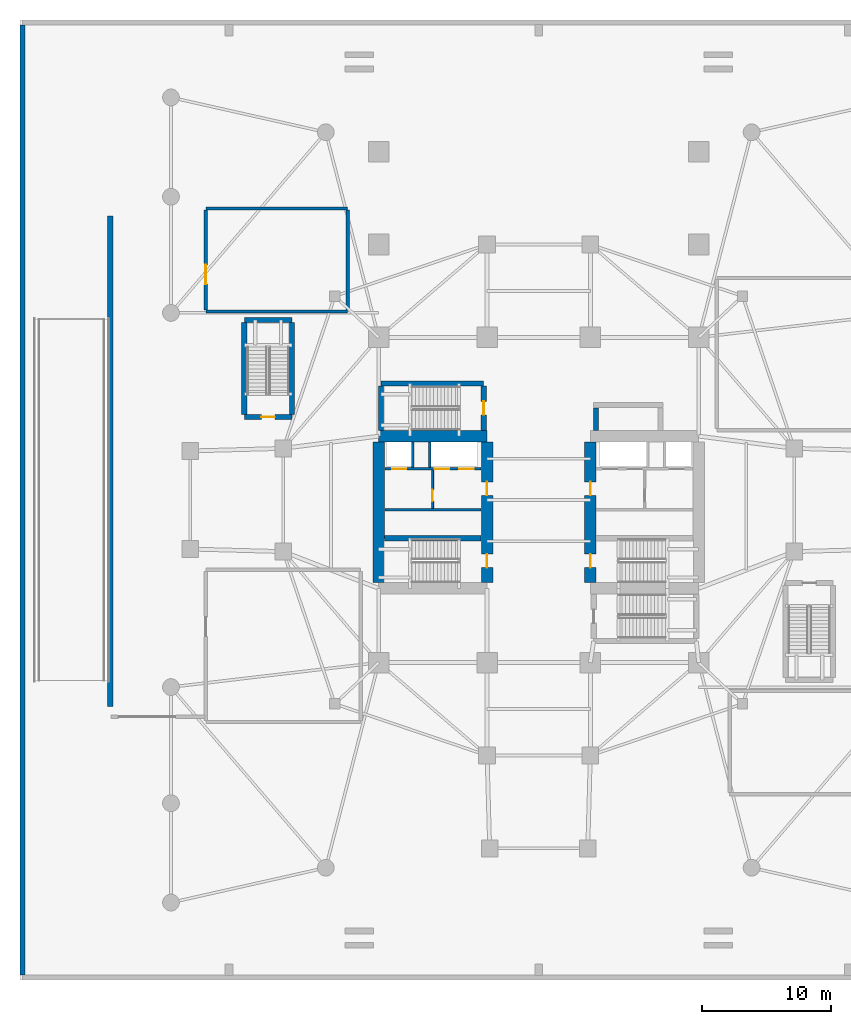
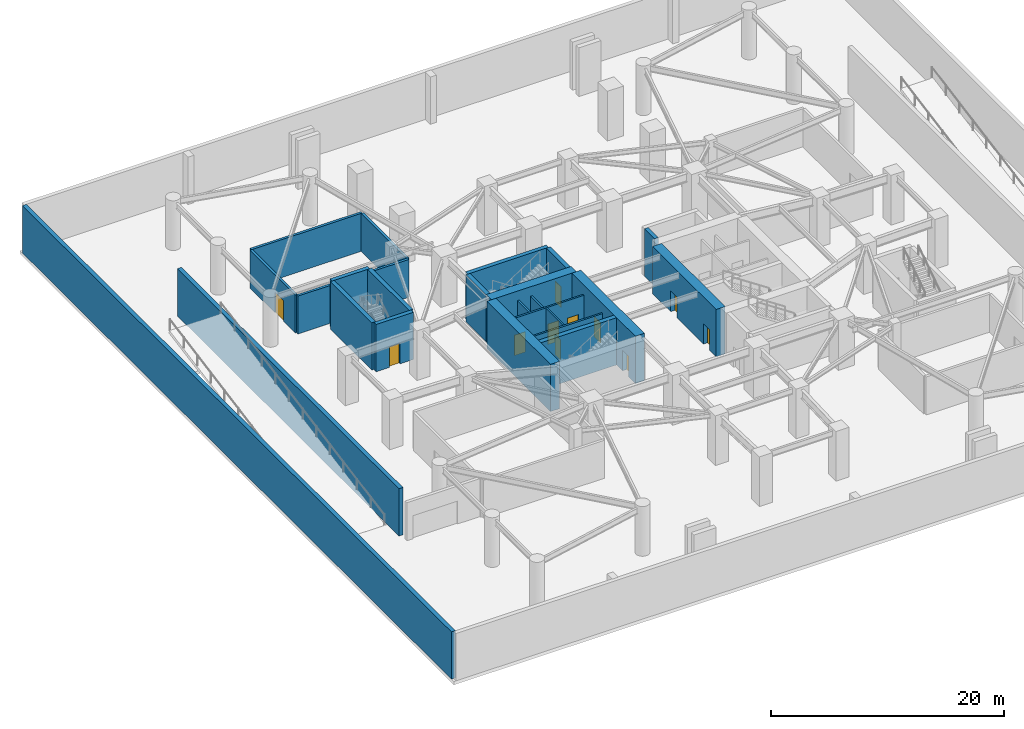
# One storey, part 5 of 12: 24 walls, 11 doors, 11 openings.
"""IFC4 building model written with IfcOpenShell, lengths in metres."""

from ifc_helpers import new_model, si_unit, direction, frame, frame_2d, origin, place, context, subcontext, project, spatial, rectangle, extrude, material, layer, layer_set, type_object, element, fill, save


model = new_model("IFC4")

# Units and contexts
model_context = context("Model", 3, precision=1e-05, world=origin(), true_north=direction((0.0, 1.0)))
body_context = subcontext(model_context, "Body", "Model", "MODEL_VIEW")
ifc_project = project(units=[si_unit("LENGTHUNIT", "METRE"), si_unit("AREAUNIT", "SQUARE_METRE"), si_unit("VOLUMEUNIT", "CUBIC_METRE"), si_unit("PLANEANGLEUNIT", "RADIAN"), si_unit("MASSUNIT", "GRAM", prefix="KILO")], contexts=[model_context])

# Site, building, storey
site_placement = place(None, origin())
site = spatial("IfcSite", under=ifc_project, at=site_placement, CompositionType="ELEMENT")
building_placement = place(site_placement, origin())
building = spatial("IfcBuilding", under=site, at=building_placement, Name="Qingluan Cross Belvedere", CompositionType="ELEMENT")
storey_placement = place(building_placement, frame((0.0, 0.0, -5.199951171875)))
storey = spatial("IfcBuildingStorey", under=building, at=storey_placement, Name="B1", CompositionType="ELEMENT", Elevation=-5.199951171875)

# Walls
ifc_material_1 = material(Name="Concrete C50", Category="concrete")
ifc_layer_1 = layer(ifc_material_1, 0.449951171875, Name="CoreShearWall_450")
ifc_layer_set_1 = layer_set([ifc_layer_1], Name="Concrete C50")
wall_type_1 = type_object("IfcWallType", Name="CoreShearWall_450", PredefinedType="SHEAR", material=ifc_layer_set_1)
wall_1_placement = place(storey_placement, frame((-33.199951171875, -16.0, 0.0), z_axis=(0.0, 0.0, 1.0), x_axis=(0.0, 1.0, 0.0)))
element("IfcWall", 1, at=wall_1_placement, inside=storey, type_object=wall_type_1, Name="Vehicle ramp structural support wall W B1", PredefinedType="SHEAR", context=body_context, shape_type="SweptSolid", body=[
    extrude(rectangle(XDim=38.0, YDim=0.39990234375, at=frame_2d((19.0, 0.0))), origin(), (0.0, 0.0, 1.0), 4.949951171875),
])
wall_2_placement = place(storey_placement, frame((-11.945068359375, -2.9599609375, 0.0), z_axis=(0.0, 0.0, 1.0), x_axis=(1.0, 0.0, 0.0)))
element("IfcWall", 2, at=wall_2_placement, inside=storey, type_object=wall_type_1, Name="Split core W shear wall B1-M", PredefinedType="SHEAR", context=body_context, shape_type="SweptSolid", body=[
    extrude(rectangle(XDim=7.489990234375, YDim=0.449951171875, at=frame_2d((3.7451171875, 0.0))), origin(), (0.0, 0.0, 1.0), 4.949951171875),
])
wall_3_placement = place(storey_placement, frame((-12.219970703125, 9.0400390625, 0.0), z_axis=(0.0, 0.0, 1.0), x_axis=(1.0, 0.0, 0.0)))
element("IfcWall", 3, at=wall_3_placement, inside=storey, type_object=wall_type_1, Name="Stair ST3 structural wall N B1", PredefinedType="SHEAR", context=body_context, shape_type="SweptSolid", body=[
    extrude(rectangle(XDim=7.9599609375, YDim=0.39990234375, at=frame_2d((3.97998046875, 0.0))), origin(), (0.0, 0.0, 1.0), 4.949951171875),
])
wall_4_placement = place(storey_placement, frame((-12.219970703125, 5.405029296875, 0.0), z_axis=(0.0, 0.0, 1.0), x_axis=(0.0, 1.0, 0.0)))
element("IfcWall", 4, at=wall_4_placement, inside=storey, type_object=wall_type_1, Name="Stair ST3 structural wall W B1", PredefinedType="SHEAR", context=body_context, shape_type="SweptSolid", body=[
    extrude(rectangle(XDim=3.429931640625, YDim=0.39990234375, at=frame_2d((1.71484375, 0.0))), origin(), (0.0, 0.0, 1.0), 4.949951171875),
])

# Wall, opening, door
wall_5_placement = place(storey_placement, frame((-4.260009765625, 5.405029296875, 0.0), z_axis=(0.0, 0.0, 1.0), x_axis=(0.0, 1.0, 0.0)))
wall_5 = element("IfcWall", 5, at=wall_5_placement, inside=storey, type_object=wall_type_1, Name="Stair ST3 structural wall E B1", PredefinedType="SHEAR", context=body_context, shape_type="SweptSolid", body=[
    extrude(rectangle(XDim=3.429931640625, YDim=0.39990234375, at=frame_2d((1.71484375, 0.0))), origin(), (0.0, 0.0, 1.0), 4.949951171875),
])
opening_1_placement = place(wall_5_placement, frame((1.195068359375, 0.0, 0.0)))
opening_1 = element("IfcOpeningElement", 6, at=opening_1_placement, cuts=wall_5, Name="Opening FD-B11", PredefinedType="OPENING", context=body_context, shape_type="SweptSolid", body=[
    extrude(rectangle(XDim=1.050048828125, YDim=2.14990234375, at=frame_2d((0.52490234375, 1.074951171875))), frame((0.0, 0.2099609375, 0.0), z_axis=(0.0, -1.0, 0.0), x_axis=(1.0, 0.0, 0.0)), (0.0, 0.0, 1.0), 0.419921875),
])
ifc_material_2 = material(Name="Steel Class B smoke-seal fire door", Category="steel")
door_type_1 = type_object("IfcDoorType", Name="StairLobbyFireDoor_FDB", OperationType="NOTDEFINED", PredefinedType="DOOR", material=ifc_material_2)
door_1_placement = place(opening_1_placement, origin())
door_1 = element("IfcDoor", 7, at=door_1_placement, inside=storey, type_object=door_type_1, Name="Smoke-proof stair ST3 fire door B1", OperationType="SINGLE_SWING_RIGHT", OverallHeight=2.14990234375, OverallWidth=1.050048828125, PredefinedType="DOOR", context=body_context, shape_type="SweptSolid", body=[
    extrude(rectangle(XDim=1.050048828125, YDim=2.14990234375, at=frame_2d((0.52490234375, 1.074951171875))), frame((0.0, 0.02490234375, 0.0), z_axis=(0.0, -1.0, 0.0), x_axis=(1.0, 0.0, 0.0)), (0.0, 0.0, 1.0), 0.050048828125),
])
fill(opening_1, door_1)

# Wall
wall_6_placement = place(storey_placement, frame((-22.820068359375, 13.949951171875, 0.0), z_axis=(0.0, 0.0, 1.0), x_axis=(1.0, 0.0, 0.0)))
element("IfcWall", 8, at=wall_6_placement, inside=storey, type_object=wall_type_1, Name="Stair ST5 structural wall N B1", PredefinedType="SHEAR", context=body_context, shape_type="SweptSolid", body=[
    extrude(rectangle(XDim=3.699951171875, YDim=0.39990234375, at=frame_2d((1.85009765625, 0.0))), origin(), (0.0, 0.0, 1.0), 4.949951171875),
])

# Wall, opening, door
wall_7_placement = place(storey_placement, frame((-22.820068359375, 6.429931640625, 0.0), z_axis=(0.0, 0.0, 1.0), x_axis=(1.0, 0.0, 0.0)))
wall_7 = element("IfcWall", 9, at=wall_7_placement, inside=storey, type_object=wall_type_1, Name="Stair ST5 structural wall S B1", PredefinedType="SHEAR", context=body_context, shape_type="SweptSolid", body=[
    extrude(rectangle(XDim=3.699951171875, YDim=0.39990234375, at=frame_2d((1.85009765625, 0.0))), origin(), (0.0, 0.0, 1.0), 4.949951171875),
])
opening_2_placement = place(wall_7_placement, frame((1.320068359375, 0.0, 0.0)))
opening_2 = element("IfcOpeningElement", 10, at=opening_2_placement, cuts=wall_7, Name="Opening FD-B11", PredefinedType="OPENING", context=body_context, shape_type="SweptSolid", body=[
    extrude(rectangle(XDim=1.050048828125, YDim=2.14990234375, at=frame_2d((0.52490234375, 1.074951171875))), frame((0.0, 0.2099609375, 0.0), z_axis=(0.0, -1.0, 0.0), x_axis=(1.0, 0.0, 0.0)), (0.0, 0.0, 1.0), 0.419921875),
])
door_2_placement = place(opening_2_placement, origin())
door_2 = element("IfcDoor", 11, at=door_2_placement, inside=storey, type_object=door_type_1, Name="Podium stair ST5 smoke-proof fire door B1", OperationType="SINGLE_SWING_RIGHT", OverallHeight=2.14990234375, OverallWidth=1.050048828125, PredefinedType="DOOR", context=body_context, shape_type="SweptSolid", body=[
    extrude(rectangle(XDim=1.050048828125, YDim=2.14990234375, at=frame_2d((0.52490234375, 1.074951171875))), frame((0.0, 0.02490234375, 0.0), z_axis=(0.0, -1.0, 0.0), x_axis=(1.0, 0.0, 0.0)), (0.0, 0.0, 1.0), 0.050048828125),
])
fill(opening_2, door_2)

# Walls
for number, where, z_axis, x_axis, name in (
    (12, (-22.820068359375, 6.635009765625, 0.0), (0.0, 0.0, 1.0), (0.0, 1.0, 0.0), "Stair ST5 structural wall W B1"),
    (13, (-19.1201171875, 6.635009765625, 0.0), (0.0, 0.0, 1.0), (0.0, 1.0, 0.0), "Stair ST5 structural wall E B1"),
):
    element("IfcWall", number, at=place(storey_placement, frame(where, z_axis=z_axis, x_axis=x_axis)), inside=storey, type_object=wall_type_1, Name=name, PredefinedType="SHEAR", context=body_context, shape_type="SweptSolid", body=[
        extrude(rectangle(XDim=7.110107421875, YDim=0.39990234375, at=frame_2d((3.55517578125, 0.0))), origin(), (0.0, 0.0, 1.0), 4.949951171875),
    ])
wall_8_placement = place(storey_placement, frame((4.449951171875, 5.405029296875, 0.0), z_axis=(0.0, 0.0, 1.0), x_axis=(0.0, 1.0, 0.0)))
element("IfcWall", 14, at=wall_8_placement, inside=storey, type_object=wall_type_1, Name="Express shuttle core wall B1-W", PredefinedType="SHEAR", context=body_context, shape_type="SweptSolid", body=[
    extrude(rectangle(XDim=1.73486328125, YDim=0.39990234375, at=frame_2d((0.867431640625, 0.0))), origin(), (0.0, 0.0, 1.0), 4.949951171875),
])
ifc_material_3 = material(Name="Concrete C70", Category="concrete")
ifc_layer_2 = layer(ifc_material_3, 0.89990234375, Name="CoreShearWall_900")
ifc_layer_set_2 = layer_set([ifc_layer_2], Name="Concrete C70")
wall_type_2 = type_object("IfcWallType", Name="CoreShearWall_900", PredefinedType="SHEAR", material=ifc_layer_set_2)
wall_9_placement = place(storey_placement, frame((-12.39990234375, 4.949951171875, 0.0), z_axis=(0.0, 0.0, 1.0), x_axis=(1.0, 0.0, 0.0)))
element("IfcWall", 15, at=wall_9_placement, inside=storey, type_object=wall_type_2, Name="Split core W shear wall B1-N", PredefinedType="SHEAR", context=body_context, shape_type="SweptSolid", body=[
    extrude(rectangle(XDim=8.39990234375, YDim=0.89990234375, at=frame_2d((4.199951171875, 0.0))), origin(), (0.0, 0.0, 1.0), 4.949951171875),
])
wall_10_placement = place(storey_placement, frame((-12.39990234375, -6.39501953125, 0.0), z_axis=(0.0, 0.0, 1.0), x_axis=(0.0, 1.0, 0.0)))
element("IfcWall", 16, at=wall_10_placement, inside=storey, type_object=wall_type_2, Name="Split core W shear wall B1-W", PredefinedType="SHEAR", context=body_context, shape_type="SweptSolid", body=[
    extrude(rectangle(XDim=10.89013671875, YDim=0.89990234375, at=frame_2d((5.445068359375, 0.0))), origin(), (0.0, 0.0, 1.0), 4.949951171875),
])

# Wall, openings, doors
wall_11_placement = place(storey_placement, frame((-4.0, -6.39501953125, 0.0), z_axis=(0.0, 0.0, 1.0), x_axis=(0.0, 1.0, 0.0)))
wall_11 = element("IfcWall", 17, at=wall_11_placement, inside=storey, type_object=wall_type_2, Name="Split core W shear wall B1-E", PredefinedType="SHEAR", context=body_context, shape_type="SweptSolid", body=[
    extrude(rectangle(XDim=10.89013671875, YDim=0.89990234375, at=frame_2d((5.445068359375, 0.0))), origin(), (0.0, 0.0, 1.0), 4.949951171875),
])
opening_3_placement = place(wall_11_placement, frame((1.14501953125, 0.0, 0.0)))
opening_3 = element("IfcOpeningElement", 18, at=opening_3_placement, cuts=wall_11, Name="Opening FD-B11", PredefinedType="OPENING", context=body_context, shape_type="SweptSolid", body=[
    extrude(rectangle(XDim=1.050048828125, YDim=2.14990234375, at=frame_2d((0.52490234375, 1.074951171875))), frame((0.0, 0.4599609375, 0.0), z_axis=(0.0, -1.0, 0.0), x_axis=(1.0, 0.0, 0.0)), (0.0, 0.0, 1.0), 0.919921875),
])
opening_4_placement = place(wall_11_placement, frame((6.7451171875, 0.0, 0.0)))
opening_4 = element("IfcOpeningElement", 19, at=opening_4_placement, cuts=wall_11, Name="Opening FD-B11", PredefinedType="OPENING", context=body_context, shape_type="SweptSolid", body=[
    extrude(rectangle(XDim=1.050048828125, YDim=2.14990234375, at=frame_2d((0.52490234375, 1.074951171875))), frame((0.0, 0.4599609375, 0.0), z_axis=(0.0, -1.0, 0.0), x_axis=(1.0, 0.0, 0.0)), (0.0, 0.0, 1.0), 0.919921875),
])
door_3_placement = place(opening_3_placement, origin())
door_3 = element("IfcDoor", 20, at=door_3_placement, inside=storey, type_object=door_type_1, Name="Smoke-proof stair ST1 fire door B1", OperationType="SINGLE_SWING_RIGHT", OverallHeight=2.14990234375, OverallWidth=1.050048828125, PredefinedType="DOOR", context=body_context, shape_type="SweptSolid", body=[
    extrude(rectangle(XDim=1.050048828125, YDim=2.14990234375, at=frame_2d((0.52490234375, 1.074951171875))), frame((0.0, 0.02490234375, 0.0), z_axis=(0.0, -1.0, 0.0), x_axis=(1.0, 0.0, 0.0)), (0.0, 0.0, 1.0), 0.050048828125),
])
fill(opening_3, door_3)
door_4_placement = place(opening_4_placement, origin())
door_4 = element("IfcDoor", 21, at=door_4_placement, inside=storey, type_object=door_type_1, Name="Firefighting lobby West fire door B1", OperationType="SINGLE_SWING_RIGHT", OverallHeight=2.14990234375, OverallWidth=1.050048828125, PredefinedType="DOOR", context=body_context, shape_type="SweptSolid", body=[
    extrude(rectangle(XDim=1.050048828125, YDim=2.14990234375, at=frame_2d((0.52490234375, 1.074951171875))), frame((0.0, 0.02490234375, 0.0), z_axis=(0.0, -1.0, 0.0), x_axis=(1.0, 0.0, 0.0)), (0.0, 0.0, 1.0), 0.050048828125),
])
fill(opening_4, door_4)

wall_12_placement = place(storey_placement, frame((4.0, -6.39501953125, 0.0), z_axis=(0.0, 0.0, 1.0), x_axis=(0.0, 1.0, 0.0)))
wall_12 = element("IfcWall", 22, at=wall_12_placement, inside=storey, type_object=wall_type_2, Name="Split core E shear wall B1-W", PredefinedType="SHEAR", context=body_context, shape_type="SweptSolid", body=[
    extrude(rectangle(XDim=10.89013671875, YDim=0.89990234375, at=frame_2d((5.445068359375, 0.0))), origin(), (0.0, 0.0, 1.0), 4.949951171875),
])
opening_5_placement = place(wall_12_placement, frame((1.14501953125, 0.0, 0.0)))
opening_5 = element("IfcOpeningElement", 23, at=opening_5_placement, cuts=wall_12, Name="Opening FD-B11", PredefinedType="OPENING", context=body_context, shape_type="SweptSolid", body=[
    extrude(rectangle(XDim=1.050048828125, YDim=2.14990234375, at=frame_2d((0.52490234375, 1.074951171875))), frame((0.0, 0.4599609375, 0.0), z_axis=(0.0, -1.0, 0.0), x_axis=(1.0, 0.0, 0.0)), (0.0, 0.0, 1.0), 0.919921875),
])
opening_6_placement = place(wall_12_placement, frame((6.7451171875, 0.0, 0.0)))
opening_6 = element("IfcOpeningElement", 24, at=opening_6_placement, cuts=wall_12, Name="Opening FD-B11", PredefinedType="OPENING", context=body_context, shape_type="SweptSolid", body=[
    extrude(rectangle(XDim=1.050048828125, YDim=2.14990234375, at=frame_2d((0.52490234375, 1.074951171875))), frame((0.0, 0.4599609375, 0.0), z_axis=(0.0, -1.0, 0.0), x_axis=(1.0, 0.0, 0.0)), (0.0, 0.0, 1.0), 0.919921875),
])
door_5_placement = place(opening_5_placement, origin())
door_5 = element("IfcDoor", 25, at=door_5_placement, inside=storey, type_object=door_type_1, Name="Smoke-proof stair ST2 fire door B1", OperationType="SINGLE_SWING_LEFT", OverallHeight=2.14990234375, OverallWidth=1.050048828125, PredefinedType="DOOR", context=body_context, shape_type="SweptSolid", body=[
    extrude(rectangle(XDim=1.050048828125, YDim=2.14990234375, at=frame_2d((0.52490234375, 1.074951171875))), frame((0.0, 0.02490234375, 0.0), z_axis=(0.0, -1.0, 0.0), x_axis=(1.0, 0.0, 0.0)), (0.0, 0.0, 1.0), 0.050048828125),
])
fill(opening_5, door_5)
door_6_placement = place(opening_6_placement, origin())
door_6 = element("IfcDoor", 26, at=door_6_placement, inside=storey, type_object=door_type_1, Name="Firefighting lobby East fire door B1", OperationType="SINGLE_SWING_LEFT", OverallHeight=2.14990234375, OverallWidth=1.050048828125, PredefinedType="DOOR", context=body_context, shape_type="SweptSolid", body=[
    extrude(rectangle(XDim=1.050048828125, YDim=2.14990234375, at=frame_2d((0.52490234375, 1.074951171875))), frame((0.0, 0.02490234375, 0.0), z_axis=(0.0, -1.0, 0.0), x_axis=(1.0, 0.0, 0.0)), (0.0, 0.0, 1.0), 0.050048828125),
])
fill(opening_6, door_6)

# Walls
ifc_material_4 = material(Name="Concrete C40", Category="concrete")
ifc_layer_3 = layer(ifc_material_4, 0.300048828125, Name="FireCompartmentWall_300")
ifc_layer_set_3 = layer_set([ifc_layer_3], Name="Concrete C40")
wall_type_3 = type_object("IfcWallType", Name="FireCompartmentWall_300", PredefinedType="SOLIDWALL", material=ifc_layer_set_3)
for number, where, z_axis, x_axis, name in (
    (27, (-25.800048828125, 14.60009765625, 0.0), (0.0, 0.0, 1.0), (1.0, 0.0, 0.0), "Partition B1:linen_boh:S"),
    (28, (-25.800048828125, 22.60009765625, 0.0), (0.0, 0.0, 1.0), (1.0, 0.0, 0.0), "Partition B1:linen_boh:N"),
):
    element("IfcWall", number, at=place(storey_placement, frame(where, z_axis=z_axis, x_axis=x_axis)), inside=storey, type_object=wall_type_3, Name=name, PredefinedType="SOLIDWALL", context=body_context, shape_type="SweptSolid", body=[
        extrude(rectangle(XDim=11.0, YDim=0.25, at=frame_2d((5.5, 0.0))), origin(), (0.0, 0.0, 1.0), 3.969970703125),
    ])

# Wall, opening, door
wall_13_placement = place(storey_placement, frame((-25.800048828125, 14.72998046875, 0.0), z_axis=(0.0, 0.0, 1.0), x_axis=(0.0, 1.0, 0.0)))
wall_13 = element("IfcWall", 29, at=wall_13_placement, inside=storey, type_object=wall_type_3, Name="Partition B1:linen_boh:W", PredefinedType="SOLIDWALL", context=body_context, shape_type="SweptSolid", body=[
    extrude(rectangle(XDim=7.739990234375, YDim=0.25, at=frame_2d((3.8701171875, 0.0))), origin(), (0.0, 0.0, 1.0), 3.969970703125),
])
opening_7_placement = place(wall_13_placement, frame((2.0, 0.0, 0.0)))
opening_7 = element("IfcOpeningElement", 30, at=opening_7_placement, cuts=wall_13, Name="Opening FD-A15", PredefinedType="OPENING", context=body_context, shape_type="SweptSolid", body=[
    extrude(rectangle(XDim=1.5, YDim=2.14990234375, at=frame_2d((0.75, 1.074951171875))), frame((0.0, 0.135009765625, 0.0), z_axis=(0.0, -1.0, 0.0), x_axis=(1.0, 0.0, 0.0)), (0.0, 0.0, 1.0), 0.27001953125),
])
ifc_material_5 = material(Name="Insulated steel Class A double fire door", Category="steel")
door_type_2 = type_object("IfcDoorType", Name="PlantDoubleFireDoor_FDA", OperationType="DOUBLE_DOOR_SINGLE_SWING", PredefinedType="DOOR", material=ifc_material_5)
door_7_placement = place(opening_7_placement, origin())
door_7 = element("IfcDoor", 31, at=door_7_placement, inside=storey, type_object=door_type_2, Name="Back-of-house linen and luggage store B1 door", OperationType="DOUBLE_DOOR_SINGLE_SWING", OverallHeight=2.14990234375, OverallWidth=1.5, PredefinedType="DOOR", context=body_context, shape_type="SweptSolid", body=[
    extrude(rectangle(XDim=1.5, YDim=2.14990234375, at=frame_2d((0.75, 1.074951171875))), frame((0.0, 0.02490234375, 0.0), z_axis=(0.0, -1.0, 0.0), x_axis=(1.0, 0.0, 0.0)), (0.0, 0.0, 1.0), 0.050048828125),
])
fill(opening_7, door_7)

# Walls
wall_14_placement = place(storey_placement, frame((-14.800048828125, 14.72998046875, 0.0), z_axis=(0.0, 0.0, 1.0), x_axis=(0.0, 1.0, 0.0)))
element("IfcWall", 32, at=wall_14_placement, inside=storey, type_object=wall_type_3, Name="Partition B1:linen_boh:E", PredefinedType="SOLIDWALL", context=body_context, shape_type="SweptSolid", body=[
    extrude(rectangle(XDim=7.739990234375, YDim=0.25, at=frame_2d((3.8701171875, 0.0))), origin(), (0.0, 0.0, 1.0), 3.969970703125),
])
ifc_material_6 = material(Name="Concrete C40", Category="concrete")
ifc_layer_4 = layer(ifc_material_6, 0.39990234375, Name="RetainingWall_400")
ifc_layer_set_4 = layer_set([ifc_layer_4], Name="Concrete C40")
wall_type_4 = type_object("IfcWallType", Name="RetainingWall_400", PredefinedType="USERDEFINED", material=ifc_layer_set_4)
wall_15_placement = place(storey_placement, frame((-40.0, 36.794921875, 0.0), z_axis=(0.0, 0.0, 1.0), x_axis=(0.0, -1.0, 0.0)))
element("IfcWall", 33, at=wall_15_placement, inside=storey, type_object=wall_type_4, Name="Basement perimeter retaining wall B1-W", ObjectType="RETAININGWALL", PredefinedType="USERDEFINED", context=body_context, shape_type="SweptSolid", body=[
    extrude(rectangle(XDim=73.58984375, YDim=0.39990234375, at=frame_2d((36.794921875, 0.0))), origin(), (0.0, 0.0, 1.0), 4.949951171875),
])

# Wall, openings, doors
ifc_material_7 = material(Name="Concrete C40", Category="concrete")
ifc_layer_5 = layer(ifc_material_7, 0.219970703125, Name="ShaftEnclosureWall_250")
ifc_layer_set_5 = layer_set([ifc_layer_5], Name="Concrete C40")
wall_type_5 = type_object("IfcWallType", Name="ShaftEnclosureWall_250", PredefinedType="SOLIDWALL", material=ifc_layer_set_5)
wall_16_placement = place(storey_placement, frame((-11.89990234375, 2.409912109375, 0.0), z_axis=(0.0, 0.0, 1.0), x_axis=(1.0, 0.0, 0.0)))
wall_16 = element("IfcWall", 34, at=wall_16_placement, inside=storey, type_object=wall_type_5, Name="Core-W north hoistway wall B1", PredefinedType="SOLIDWALL", context=body_context, shape_type="SweptSolid", body=[
    extrude(rectangle(XDim=7.419921875, YDim=0.179931640625, at=frame_2d((3.7099609375, 0.0))), origin(), (0.0, 0.0, 1.0), 3.969970703125),
])
opening_8_placement = place(wall_16_placement, frame((0.550048828125, 0.0, 0.0)))
opening_8 = element("IfcOpeningElement", 35, at=opening_8_placement, cuts=wall_16, Name="Opening LD-11", PredefinedType="OPENING", context=body_context, shape_type="SweptSolid", body=[
    extrude(rectangle(XDim=1.10009765625, YDim=2.14990234375, at=frame_2d((0.550048828125, 1.074951171875))), frame((0.0, 0.099853515625, 0.0), z_axis=(0.0, -1.0, 0.0), x_axis=(1.0, 0.0, 0.0)), (0.0, 0.0, 1.0), 0.199951171875),
])
opening_9_placement = place(wall_16_placement, frame((3.85009765625, 0.0, 0.0)))
opening_9 = element("IfcOpeningElement", 36, at=opening_9_placement, cuts=wall_16, Name="Opening LD-11", PredefinedType="OPENING", context=body_context, shape_type="SweptSolid", body=[
    extrude(rectangle(XDim=1.10009765625, YDim=2.14990234375, at=frame_2d((0.550048828125, 1.074951171875))), frame((0.0, 0.099853515625, 0.0), z_axis=(0.0, -1.0, 0.0), x_axis=(1.0, 0.0, 0.0)), (0.0, 0.0, 1.0), 0.199951171875),
])
opening_10_placement = place(wall_16_placement, frame((5.75, 0.0, 0.0)))
opening_10 = element("IfcOpeningElement", 37, at=opening_10_placement, cuts=wall_16, Name="Opening LD-11", PredefinedType="OPENING", context=body_context, shape_type="SweptSolid", body=[
    extrude(rectangle(XDim=1.10009765625, YDim=2.14990234375, at=frame_2d((0.550048828125, 1.074951171875))), frame((0.0, 0.099853515625, 0.0), z_axis=(0.0, -1.0, 0.0), x_axis=(1.0, 0.0, 0.0)), (0.0, 0.0, 1.0), 0.199951171875),
])
ifc_material_8 = material(Name="Brushed stainless steel centre-opening lift landing door", Category="steel")
door_type_3 = type_object("IfcDoorType", Name="LiftLandingSlidingDoor_1100", OperationType="DOUBLE_DOOR_SLIDING", PredefinedType="DOOR", material=ifc_material_8)
door_8_placement = place(opening_8_placement, origin())
door_8 = element("IfcDoor", 38, at=door_8_placement, inside=storey, type_object=door_type_3, Name="Lift landing sliding door FL1 B1", OperationType="DOUBLE_DOOR_SLIDING", OverallHeight=2.14990234375, OverallWidth=1.10009765625, PredefinedType="DOOR", context=body_context, shape_type="SweptSolid", body=[
    extrude(rectangle(XDim=1.10009765625, YDim=2.14990234375, at=frame_2d((0.550048828125, 1.074951171875))), frame((0.0, 0.02490234375, 0.0), z_axis=(0.0, -1.0, 0.0), x_axis=(1.0, 0.0, 0.0)), (0.0, 0.0, 1.0), 0.050048828125),
])
fill(opening_8, door_8)
door_9_placement = place(opening_9_placement, origin())
door_9 = element("IfcDoor", 39, at=door_9_placement, inside=storey, type_object=door_type_3, Name="Lift landing sliding door LP1 B1", OperationType="DOUBLE_DOOR_SLIDING", OverallHeight=2.14990234375, OverallWidth=1.10009765625, PredefinedType="DOOR", context=body_context, shape_type="SweptSolid", body=[
    extrude(rectangle(XDim=1.10009765625, YDim=2.14990234375, at=frame_2d((0.550048828125, 1.074951171875))), frame((0.0, 0.02490234375, 0.0), z_axis=(0.0, -1.0, 0.0), x_axis=(1.0, 0.0, 0.0)), (0.0, 0.0, 1.0), 0.050048828125),
])
fill(opening_9, door_9)
door_10_placement = place(opening_10_placement, origin())
door_10 = element("IfcDoor", 40, at=door_10_placement, inside=storey, type_object=door_type_3, Name="Lift landing sliding door LP2 B1", OperationType="DOUBLE_DOOR_SLIDING", OverallHeight=2.14990234375, OverallWidth=1.10009765625, PredefinedType="DOOR", context=body_context, shape_type="SweptSolid", body=[
    extrude(rectangle(XDim=1.10009765625, YDim=2.14990234375, at=frame_2d((0.550048828125, 1.074951171875))), frame((0.0, 0.02490234375, 0.0), z_axis=(0.0, -1.0, 0.0), x_axis=(1.0, 0.0, 0.0)), (0.0, 0.0, 1.0), 0.050048828125),
])
fill(opening_10, door_10)

# Walls
wall_17_placement = place(storey_placement, frame((-11.89990234375, -0.75, 0.0), z_axis=(0.0, 0.0, 1.0), x_axis=(1.0, 0.0, 0.0)))
element("IfcWall", 41, at=wall_17_placement, inside=storey, type_object=wall_type_5, Name="Core-W mid hoistway wall B1", PredefinedType="SOLIDWALL", context=body_context, shape_type="SweptSolid", body=[
    extrude(rectangle(XDim=7.419921875, YDim=0.179931640625, at=frame_2d((3.7099609375, 0.0))), origin(), (0.0, 0.0, 1.0), 3.969970703125),
])
for number, where, z_axis, x_axis, name in (
    (42, (-9.760009765625, 2.5, 0.0), (0.0, 0.0, 1.0), (0.0, 1.0, 0.0), "Hoistway enclosure divider FL1E B1"),
    (43, (-8.43994140625, 2.5, 0.0), (0.0, 0.0, 1.0), (0.0, 1.0, 0.0), "Hoistway enclosure divider LP1W B1"),
):
    element("IfcWall", number, at=place(storey_placement, frame(where, z_axis=z_axis, x_axis=x_axis)), inside=storey, type_object=wall_type_5, Name=name, PredefinedType="SOLIDWALL", context=body_context, shape_type="SweptSolid", body=[
        extrude(rectangle(XDim=1.989990234375, YDim=0.179931640625, at=frame_2d((0.9951171875, 0.0))), origin(), (0.0, 0.0, 1.0), 3.969970703125),
    ])

# Wall, opening, door
wall_18_placement = place(storey_placement, frame((-8.219970703125, -0.64990234375, 0.0), z_axis=(0.0, 0.0, 1.0), x_axis=(0.0, 1.0, 0.0)))
wall_18 = element("IfcWall", 44, at=wall_18_placement, inside=storey, type_object=wall_type_5, Name="Core-W service corridor wall B1", PredefinedType="SOLIDWALL", context=body_context, shape_type="SweptSolid", body=[
    extrude(rectangle(XDim=2.9599609375, YDim=0.139892578125, at=frame_2d((1.47998046875, 0.0))), origin(), (0.0, 0.0, 1.0), 3.969970703125),
])
opening_11_placement = place(wall_18_placement, frame((0.550048828125, 0.0, 0.0)))
opening_11 = element("IfcOpeningElement", 45, at=opening_11_placement, cuts=wall_18, Name="Opening FD-B10", PredefinedType="OPENING", context=body_context, shape_type="SweptSolid", body=[
    extrude(rectangle(XDim=0.8798828125, YDim=2.10009765625, at=frame_2d((0.43994140625, 1.050048828125))), frame((0.0, 0.079833984375, 0.0), z_axis=(0.0, -1.0, 0.0), x_axis=(1.0, 0.0, 0.0)), (0.0, 0.0, 1.0), 0.159912109375),
])
ifc_material_9 = material(Name="Steel Class B service fire door", Category="steel")
door_type_4 = type_object("IfcDoorType", Name="RiserServiceFireDoor_FDB", OperationType="NOTDEFINED", PredefinedType="DOOR", material=ifc_material_9)
door_11_placement = place(opening_11_placement, origin())
door_11 = element("IfcDoor", 46, at=door_11_placement, inside=storey, type_object=door_type_4, Name="Core-W service room door B1", OperationType="SINGLE_SWING_RIGHT", OverallHeight=2.10009765625, OverallWidth=0.8798828125, PredefinedType="DOOR", context=body_context, shape_type="SweptSolid", body=[
    extrude(rectangle(XDim=0.8798828125, YDim=2.10009765625, at=frame_2d((0.43994140625, 1.050048828125))), frame((0.0, 0.02490234375, 0.0), z_axis=(0.0, -1.0, 0.0), x_axis=(1.0, 0.0, 0.0)), (0.0, 0.0, 1.0), 0.050048828125),
])
fill(opening_11, door_11)

save(model, "model.ifc")
